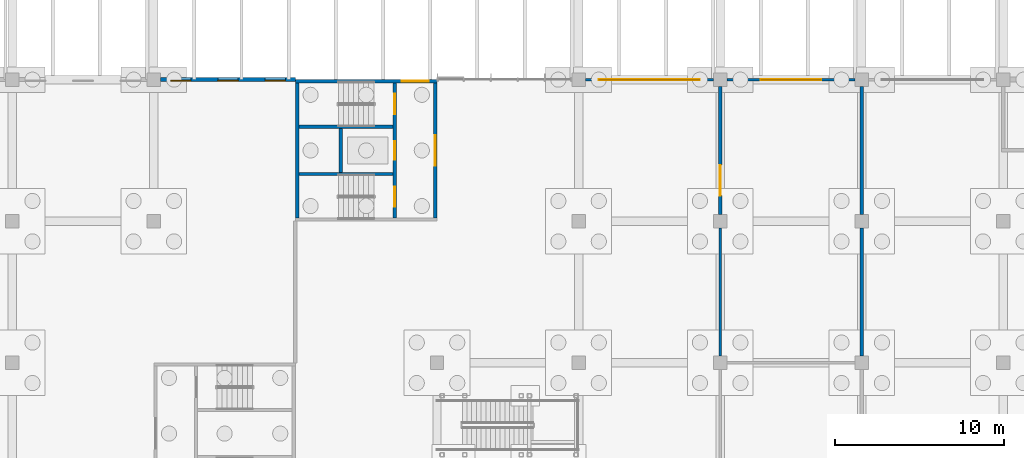
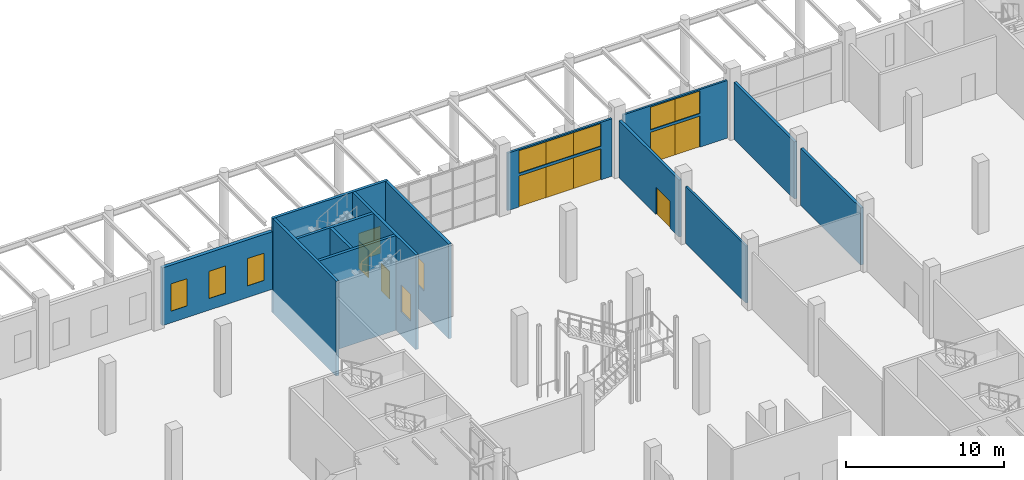
# One storey, part 38 of 82: 14 walls, 11 doors, 8 windows, 19 openings.
"""IFC4 building model written with IfcOpenShell, lengths in metres."""

from ifc_helpers import new_model, si_unit, direction, frame, frame_2d, origin, place, context, subcontext, project, spatial, rectangle, extrude, material, layer, layer_set, type_object, element, fill, save


model = new_model("IFC4")

# Units and contexts
model_context = context("Model", 3, precision=1e-05, world=origin(), true_north=direction((0.0, 1.0)))
body_context = subcontext(model_context, "Body", "Model", "MODEL_VIEW")
ifc_project = project(units=[si_unit("LENGTHUNIT", "METRE"), si_unit("AREAUNIT", "SQUARE_METRE"), si_unit("VOLUMEUNIT", "CUBIC_METRE"), si_unit("PLANEANGLEUNIT", "RADIAN"), si_unit("MASSUNIT", "GRAM", prefix="KILO")], contexts=[model_context])

# Site, building, storey
site_placement = place(None, origin())
site = spatial("IfcSite", under=ifc_project, at=site_placement, CompositionType="ELEMENT")
building_placement = place(site_placement, origin())
building = spatial("IfcBuilding", under=site, at=building_placement, Name="Almond Square Museum", CompositionType="ELEMENT")
storey_placement = place(building_placement, origin())
storey = spatial("IfcBuildingStorey", under=building, at=storey_placement, Name="L00", CompositionType="ELEMENT", Elevation=0.0)

# Wall, opening, door
ifc_material_1 = material(Name="Concrete blockwork 200", Category="masonry")
ifc_layer_1 = layer(ifc_material_1, 0.199951171875)
ifc_layer_set_1 = layer_set([ifc_layer_1], Name="Concrete blockwork 200")
wall_type_1 = type_object("IfcWallType", Name="Fire partition 200 blockwork", PredefinedType="PARTITIONING", material=ifc_layer_set_1)
wall_1_placement = place(storey_placement, frame((98.39990234375, 101.199951171875, 0.0), z_axis=(0.0, 0.0, 1.0), x_axis=(0.0, 1.0, 0.0)))
wall_1 = element("IfcWall", 1, at=wall_1_placement, inside=storey, type_object=wall_type_1, Name="L00 partition 8", PredefinedType="PARTITIONING", context=body_context, shape_type="SweptSolid", body=[
    extrude(rectangle(XDim=7.60009765625, YDim=0.199951171875, at=frame_2d((3.800048828125, 0.0))), origin(), (0.0, 0.0, 1.0), 4.39990234375),
])
opening_1_placement = place(wall_1_placement, frame((1.125, 0.0, 0.0)))
opening_1 = element("IfcOpeningElement", 2, at=opening_1_placement, cuts=wall_1, Name="Opening D0107", PredefinedType="OPENING", context=body_context, shape_type="SweptSolid", body=[
    extrude(rectangle(XDim=1.800048828125, YDim=2.10009765625, at=frame_2d((0.89990234375, 1.050048828125))), frame((0.0, 0.10986328125, 0.0), z_axis=(0.0, -1.0, 0.0), x_axis=(1.0, 0.0, 0.0)), (0.0, 0.0, 1.0), 0.219970703125),
])
ifc_material_2 = material(Name="Steel", Category="steel")
door_type_1 = type_object("IfcDoorType", Name="Fire door 1800 x 2100 FD60 double", OperationType="NOTDEFINED", PredefinedType="DOOR", material=ifc_material_2)
door_1_placement = place(opening_1_placement, origin())
door_1 = element("IfcDoor", 3, at=door_1_placement, inside=storey, type_object=door_type_1, Name="L00 door Museum Shop to Atrium Lobby 1", OperationType="DOUBLE_DOOR_SINGLE_SWING", OverallHeight=2.10009765625, OverallWidth=1.800048828125, PredefinedType="DOOR", context=body_context, shape_type="SweptSolid", body=[
    extrude(rectangle(XDim=1.800048828125, YDim=2.10009765625, at=frame_2d((0.89990234375, 1.050048828125))), frame((0.0, 0.02490234375, 0.0), z_axis=(0.0, -1.0, 0.0), x_axis=(1.0, 0.0, 0.0)), (0.0, 0.0, 1.0), 0.050048828125),
])
fill(opening_1, door_1)

# Walls
wall_2_placement = place(storey_placement, frame((106.800048828125, 92.800048828125, 0.0), z_axis=(0.0, 0.0, 1.0), x_axis=(0.0, 1.0, 0.0)))
element("IfcWall", 4, at=wall_2_placement, inside=storey, type_object=wall_type_1, Name="L00 partition 14", PredefinedType="PARTITIONING", context=body_context, shape_type="SweptSolid", body=[
    extrude(rectangle(XDim=7.599853515625, YDim=0.199951171875, at=frame_2d((3.7998046875, 0.0))), origin(), (0.0, 0.0, 1.0), 4.39990234375),
])
wall_3_placement = place(storey_placement, frame((106.800048828125, 101.199951171875, 0.0), z_axis=(0.0, 0.0, 1.0), x_axis=(0.0, 1.0, 0.0)))
element("IfcWall", 5, at=wall_3_placement, inside=storey, type_object=wall_type_1, Name="L00 partition 15", PredefinedType="PARTITIONING", context=body_context, shape_type="SweptSolid", body=[
    extrude(rectangle(XDim=7.60009765625, YDim=0.199951171875, at=frame_2d((3.800048828125, 0.0))), origin(), (0.0, 0.0, 1.0), 4.39990234375),
])

# Wall, openings, windows, doors
ifc_material_3 = material(Name="Aluminium and laminated glass", Category="aluminium")
ifc_layer_2 = layer(ifc_material_3, 0.14990234375)
ifc_layer_set_2 = layer_set([ifc_layer_2], Name="Aluminium and laminated glass")
wall_type_2 = type_object("IfcWallType", Name="Glazed entrance screen 150", PredefinedType="ELEMENTEDWALL", material=ifc_layer_set_2)
wall_4_placement = place(storey_placement, frame((98.800048828125, 109.199951171875, 0.0), z_axis=(0.0, 0.0, 1.0), x_axis=(1.0, 0.0, 0.0)))
wall_4 = element("IfcWall", 6, at=wall_4_placement, inside=storey, type_object=wall_type_2, Name="External wall W6 V2 L00 N01", PredefinedType="ELEMENTEDWALL", context=body_context, shape_type="SweptSolid", body=[
    extrude(rectangle(XDim=7.599853515625, YDim=0.14990234375, at=frame_2d((3.7998046875, 0.0))), origin(), (0.0, 0.0, 1.0), 4.43994140625),
])
opening_2_placement = place(wall_4_placement, frame((2.0, 0.0, 0.0)))
opening_2 = element("IfcOpeningElement", 7, at=opening_2_placement, cuts=wall_4, Name="Opening D013", PredefinedType="OPENING", context=body_context, shape_type="SweptSolid", body=[
    extrude(rectangle(XDim=1.800048828125, YDim=2.39990234375, at=frame_2d((0.89990234375, 1.199951171875))), frame((0.0, 0.0849609375, 0.0), z_axis=(0.0, -1.0, 0.0), x_axis=(1.0, 0.0, 0.0)), (0.0, 0.0, 1.0), 0.169921875),
])
opening_3_placement = place(wall_4_placement, frame((2.0, 0.0, 2.60009765625)))
opening_3 = element("IfcOpeningElement", 8, at=opening_3_placement, cuts=wall_4, Name="Opening W0098", PredefinedType="OPENING", context=body_context, shape_type="SweptSolid", body=[
    extrude(rectangle(XDim=1.800048828125, YDim=1.739990234375, at=frame_2d((0.89990234375, 0.8701171875))), frame((0.0, 0.0849609375, 0.0), z_axis=(0.0, -1.0, 0.0), x_axis=(1.0, 0.0, 0.0)), (0.0, 0.0, 1.0), 0.169921875),
])
opening_4_placement = place(wall_4_placement, frame((3.800048828125, 0.0, 0.0)))
opening_4 = element("IfcOpeningElement", 9, at=opening_4_placement, cuts=wall_4, Name="Opening D014", PredefinedType="OPENING", context=body_context, shape_type="SweptSolid", body=[
    extrude(rectangle(XDim=1.800048828125, YDim=2.39990234375, at=frame_2d((0.89990234375, 1.199951171875))), frame((0.0, 0.0849609375, 0.0), z_axis=(0.0, -1.0, 0.0), x_axis=(1.0, 0.0, 0.0)), (0.0, 0.0, 1.0), 0.169921875),
])
opening_5_placement = place(wall_4_placement, frame((3.800048828125, 0.0, 2.60009765625)))
opening_5 = element("IfcOpeningElement", 10, at=opening_5_placement, cuts=wall_4, Name="Opening W0099", PredefinedType="OPENING", context=body_context, shape_type="SweptSolid", body=[
    extrude(rectangle(XDim=1.800048828125, YDim=1.739990234375, at=frame_2d((0.89990234375, 0.8701171875))), frame((0.0, 0.0849609375, 0.0), z_axis=(0.0, -1.0, 0.0), x_axis=(1.0, 0.0, 0.0)), (0.0, 0.0, 1.0), 0.169921875),
])
ifc_material_4 = material(Name="Aluminium frame and laminated glass", Category="aluminium")
window_type_1 = type_object("IfcWindowType", Name="Entrance fanlight 1740 high", PartitioningType="SINGLE_PANEL", PredefinedType="WINDOW", material=ifc_material_4)
window_1_placement = place(opening_3_placement, origin())
window_1 = element("IfcWindow", 11, at=window_1_placement, inside=storey, type_object=window_type_1, Name="Entrance fanlight W0098", OverallHeight=1.739990234375, OverallWidth=1.800048828125, PartitioningType="SINGLE_PANEL", PredefinedType="WINDOW", context=body_context, shape_type="SweptSolid", body=[
    extrude(rectangle(XDim=1.800048828125, YDim=1.739990234375, at=frame_2d((0.89990234375, 0.8701171875))), frame((0.0, 0.030029296875, 0.0), z_axis=(0.0, -1.0, 0.0), x_axis=(1.0, 0.0, 0.0)), (0.0, 0.0, 1.0), 0.06005859375),
])
fill(opening_3, window_1)
window_2_placement = place(opening_5_placement, origin())
window_2 = element("IfcWindow", 12, at=window_2_placement, inside=storey, type_object=window_type_1, Name="Entrance fanlight W0099", OverallHeight=1.739990234375, OverallWidth=1.800048828125, PartitioningType="SINGLE_PANEL", PredefinedType="WINDOW", context=body_context, shape_type="SweptSolid", body=[
    extrude(rectangle(XDim=1.800048828125, YDim=1.739990234375, at=frame_2d((0.89990234375, 0.8701171875))), frame((0.0, 0.030029296875, 0.0), z_axis=(0.0, -1.0, 0.0), x_axis=(1.0, 0.0, 0.0)), (0.0, 0.0, 1.0), 0.06005859375),
])
fill(opening_5, window_2)
ifc_material_5 = material(Name="Aluminium frame and laminated glass", Category="aluminium")
door_type_2 = type_object("IfcDoorType", Name="Glazed entrance door pair 1800 x 2400", OperationType="NOTDEFINED", PredefinedType="DOOR", material=ifc_material_5)
door_2_placement = place(opening_2_placement, origin())
door_2 = element("IfcDoor", 13, at=door_2_placement, inside=storey, type_object=door_type_2, Name="Shop Entrance door D013", OperationType="DOUBLE_DOOR_SINGLE_SWING", OverallHeight=2.39990234375, OverallWidth=1.800048828125, PredefinedType="DOOR", context=body_context, shape_type="SweptSolid", body=[
    extrude(rectangle(XDim=1.800048828125, YDim=2.39990234375, at=frame_2d((0.89990234375, 1.199951171875))), frame((0.0, 0.02490234375, 0.0), z_axis=(0.0, -1.0, 0.0), x_axis=(1.0, 0.0, 0.0)), (0.0, 0.0, 1.0), 0.050048828125),
])
fill(opening_2, door_2)
door_3_placement = place(opening_4_placement, origin())
door_3 = element("IfcDoor", 14, at=door_3_placement, inside=storey, type_object=door_type_2, Name="Shop Entrance door D014", OperationType="DOUBLE_DOOR_SINGLE_SWING", OverallHeight=2.39990234375, OverallWidth=1.800048828125, PredefinedType="DOOR", context=body_context, shape_type="SweptSolid", body=[
    extrude(rectangle(XDim=1.800048828125, YDim=2.39990234375, at=frame_2d((0.89990234375, 1.199951171875))), frame((0.0, 0.02490234375, 0.0), z_axis=(0.0, -1.0, 0.0), x_axis=(1.0, 0.0, 0.0)), (0.0, 0.0, 1.0), 0.050048828125),
])
fill(opening_4, door_3)

wall_5_placement = place(storey_placement, frame((90.39990234375, 109.199951171875, 0.0), z_axis=(0.0, 0.0, 1.0), x_axis=(1.0, 0.0, 0.0)))
wall_5 = element("IfcWall", 15, at=wall_5_placement, inside=storey, type_object=wall_type_2, Name="External wall W6 V2 L00 N02", PredefinedType="ELEMENTEDWALL", context=body_context, shape_type="SweptSolid", body=[
    extrude(rectangle(XDim=7.60009765625, YDim=0.14990234375, at=frame_2d((3.800048828125, 0.0))), origin(), (0.0, 0.0, 1.0), 4.43994140625),
])
opening_6_placement = place(wall_5_placement, frame((0.800048828125, 0.0, 0.0)))
opening_6 = element("IfcOpeningElement", 16, at=opening_6_placement, cuts=wall_5, Name="Opening D015", PredefinedType="OPENING", context=body_context, shape_type="SweptSolid", body=[
    extrude(rectangle(XDim=2.0, YDim=2.39990234375, at=frame_2d((1.0, 1.199951171875))), frame((0.0, 0.0849609375, 0.0), z_axis=(0.0, -1.0, 0.0), x_axis=(1.0, 0.0, 0.0)), (0.0, 0.0, 1.0), 0.169921875),
])
opening_7_placement = place(wall_5_placement, frame((0.800048828125, 0.0, 2.60009765625)))
opening_7 = element("IfcOpeningElement", 17, at=opening_7_placement, cuts=wall_5, Name="Opening W0100", PredefinedType="OPENING", context=body_context, shape_type="SweptSolid", body=[
    extrude(rectangle(XDim=2.0, YDim=1.739990234375, at=frame_2d((1.0, 0.8701171875))), frame((0.0, 0.0849609375, 0.0), z_axis=(0.0, -1.0, 0.0), x_axis=(1.0, 0.0, 0.0)), (0.0, 0.0, 1.0), 0.169921875),
])
opening_8_placement = place(wall_5_placement, frame((2.800048828125, 0.0, 0.0)))
opening_8 = element("IfcOpeningElement", 18, at=opening_8_placement, cuts=wall_5, Name="Opening D016", PredefinedType="OPENING", context=body_context, shape_type="SweptSolid", body=[
    extrude(rectangle(XDim=2.0, YDim=2.39990234375, at=frame_2d((1.0, 1.199951171875))), frame((0.0, 0.0849609375, 0.0), z_axis=(0.0, -1.0, 0.0), x_axis=(1.0, 0.0, 0.0)), (0.0, 0.0, 1.0), 0.169921875),
])
opening_9_placement = place(wall_5_placement, frame((2.800048828125, 0.0, 2.60009765625)))
opening_9 = element("IfcOpeningElement", 19, at=opening_9_placement, cuts=wall_5, Name="Opening W0101", PredefinedType="OPENING", context=body_context, shape_type="SweptSolid", body=[
    extrude(rectangle(XDim=2.0, YDim=1.739990234375, at=frame_2d((1.0, 0.8701171875))), frame((0.0, 0.0849609375, 0.0), z_axis=(0.0, -1.0, 0.0), x_axis=(1.0, 0.0, 0.0)), (0.0, 0.0, 1.0), 0.169921875),
])
opening_10_placement = place(wall_5_placement, frame((4.800048828125, 0.0, 0.0)))
opening_10 = element("IfcOpeningElement", 20, at=opening_10_placement, cuts=wall_5, Name="Opening D017", PredefinedType="OPENING", context=body_context, shape_type="SweptSolid", body=[
    extrude(rectangle(XDim=2.0, YDim=2.39990234375, at=frame_2d((1.0, 1.199951171875))), frame((0.0, 0.0849609375, 0.0), z_axis=(0.0, -1.0, 0.0), x_axis=(1.0, 0.0, 0.0)), (0.0, 0.0, 1.0), 0.169921875),
])
opening_11_placement = place(wall_5_placement, frame((4.800048828125, 0.0, 2.60009765625)))
opening_11 = element("IfcOpeningElement", 21, at=opening_11_placement, cuts=wall_5, Name="Opening W0102", PredefinedType="OPENING", context=body_context, shape_type="SweptSolid", body=[
    extrude(rectangle(XDim=2.0, YDim=1.739990234375, at=frame_2d((1.0, 0.8701171875))), frame((0.0, 0.0849609375, 0.0), z_axis=(0.0, -1.0, 0.0), x_axis=(1.0, 0.0, 0.0)), (0.0, 0.0, 1.0), 0.169921875),
])
ifc_material_6 = material(Name="Aluminium frame and laminated glass", Category="aluminium")
window_type_2 = type_object("IfcWindowType", Name="Entrance fanlight 2000 1740 high", PartitioningType="SINGLE_PANEL", PredefinedType="WINDOW", material=ifc_material_6)
window_3_placement = place(opening_7_placement, origin())
window_3 = element("IfcWindow", 22, at=window_3_placement, inside=storey, type_object=window_type_2, Name="Entrance fanlight 2000 W0100", OverallHeight=1.739990234375, OverallWidth=2.0, PartitioningType="SINGLE_PANEL", PredefinedType="WINDOW", context=body_context, shape_type="SweptSolid", body=[
    extrude(rectangle(XDim=2.0, YDim=1.739990234375, at=frame_2d((1.0, 0.8701171875))), frame((0.0, 0.030029296875, 0.0), z_axis=(0.0, -1.0, 0.0), x_axis=(1.0, 0.0, 0.0)), (0.0, 0.0, 1.0), 0.06005859375),
])
fill(opening_7, window_3)
window_4_placement = place(opening_9_placement, origin())
window_4 = element("IfcWindow", 23, at=window_4_placement, inside=storey, type_object=window_type_2, Name="Entrance fanlight 2000 W0101", OverallHeight=1.739990234375, OverallWidth=2.0, PartitioningType="SINGLE_PANEL", PredefinedType="WINDOW", context=body_context, shape_type="SweptSolid", body=[
    extrude(rectangle(XDim=2.0, YDim=1.739990234375, at=frame_2d((1.0, 0.8701171875))), frame((0.0, 0.030029296875, 0.0), z_axis=(0.0, -1.0, 0.0), x_axis=(1.0, 0.0, 0.0)), (0.0, 0.0, 1.0), 0.06005859375),
])
fill(opening_9, window_4)
window_5_placement = place(opening_11_placement, origin())
window_5 = element("IfcWindow", 24, at=window_5_placement, inside=storey, type_object=window_type_2, Name="Entrance fanlight 2000 W0102", OverallHeight=1.739990234375, OverallWidth=2.0, PartitioningType="SINGLE_PANEL", PredefinedType="WINDOW", context=body_context, shape_type="SweptSolid", body=[
    extrude(rectangle(XDim=2.0, YDim=1.739990234375, at=frame_2d((1.0, 0.8701171875))), frame((0.0, 0.030029296875, 0.0), z_axis=(0.0, -1.0, 0.0), x_axis=(1.0, 0.0, 0.0)), (0.0, 0.0, 1.0), 0.06005859375),
])
fill(opening_11, window_5)
ifc_material_7 = material(Name="Aluminium frame and laminated glass", Category="aluminium")
door_type_3 = type_object("IfcDoorType", Name="Glazed entrance door pair 2000 x 2400", OperationType="NOTDEFINED", PredefinedType="DOOR", material=ifc_material_7)
door_4_placement = place(opening_6_placement, origin())
door_4 = element("IfcDoor", 25, at=door_4_placement, inside=storey, type_object=door_type_3, Name="Main Entrance door D015", OperationType="DOUBLE_DOOR_SINGLE_SWING", OverallHeight=2.39990234375, OverallWidth=2.0, PredefinedType="DOOR", context=body_context, shape_type="SweptSolid", body=[
    extrude(rectangle(XDim=2.0, YDim=2.39990234375, at=frame_2d((1.0, 1.199951171875))), frame((0.0, 0.02490234375, 0.0), z_axis=(0.0, -1.0, 0.0), x_axis=(1.0, 0.0, 0.0)), (0.0, 0.0, 1.0), 0.050048828125),
])
fill(opening_6, door_4)
door_5_placement = place(opening_8_placement, origin())
door_5 = element("IfcDoor", 26, at=door_5_placement, inside=storey, type_object=door_type_3, Name="Main Entrance door D016", OperationType="DOUBLE_DOOR_SINGLE_SWING", OverallHeight=2.39990234375, OverallWidth=2.0, PredefinedType="DOOR", context=body_context, shape_type="SweptSolid", body=[
    extrude(rectangle(XDim=2.0, YDim=2.39990234375, at=frame_2d((1.0, 1.199951171875))), frame((0.0, 0.02490234375, 0.0), z_axis=(0.0, -1.0, 0.0), x_axis=(1.0, 0.0, 0.0)), (0.0, 0.0, 1.0), 0.050048828125),
])
fill(opening_8, door_5)
door_6_placement = place(opening_10_placement, origin())
door_6 = element("IfcDoor", 27, at=door_6_placement, inside=storey, type_object=door_type_3, Name="Main Entrance door D017", OperationType="DOUBLE_DOOR_SINGLE_SWING", OverallHeight=2.39990234375, OverallWidth=2.0, PredefinedType="DOOR", context=body_context, shape_type="SweptSolid", body=[
    extrude(rectangle(XDim=2.0, YDim=2.39990234375, at=frame_2d((1.0, 1.199951171875))), frame((0.0, 0.02490234375, 0.0), z_axis=(0.0, -1.0, 0.0), x_axis=(1.0, 0.0, 0.0)), (0.0, 0.0, 1.0), 0.050048828125),
])
fill(opening_10, door_6)

# Wall
ifc_material_8 = material(Name="Plasterboard on steel stud", Category="steel")
ifc_layer_3 = layer(ifc_material_8, 0.14990234375)
ifc_layer_set_3 = layer_set([ifc_layer_3], Name="Plasterboard on steel stud")
wall_type_3 = type_object("IfcWallType", Name="Partition 150 plasterboard on steel stud", PredefinedType="PARTITIONING", material=ifc_layer_set_3)
wall_6_placement = place(storey_placement, frame((98.39990234375, 92.800048828125, 0.0), z_axis=(0.0, 0.0, 1.0), x_axis=(0.0, 1.0, 0.0)))
element("IfcWall", 28, at=wall_6_placement, inside=storey, type_object=wall_type_3, Name="L00 partition 17", PredefinedType="PARTITIONING", context=body_context, shape_type="SweptSolid", body=[
    extrude(rectangle(XDim=7.599853515625, YDim=0.14990234375, at=frame_2d((3.7998046875, 0.0))), origin(), (0.0, 0.0, 1.0), 4.39990234375),
])

# Wall, openings, windows
ifc_material_9 = material(Name="Precast concrete C40/50", Category="concrete")
ifc_layer_4 = layer(ifc_material_9, 0.25)
ifc_layer_set_4 = layer_set([ifc_layer_4], Name="Precast concrete C40/50")
wall_type_4 = type_object("IfcWallType", Name="Precast concrete panel wall 250 with coral limestone piers", PredefinedType="SOLIDWALL", material=ifc_layer_set_4)
wall_7_placement = place(storey_placement, frame((65.199951171875, 109.199951171875, 0.0), z_axis=(0.0, 0.0, 1.0), x_axis=(1.0, 0.0, 0.0)))
wall_7 = element("IfcWall", 29, at=wall_7_placement, inside=storey, type_object=wall_type_4, Name="External wall W2 V4N L00 N01", PredefinedType="SOLIDWALL", context=body_context, shape_type="SweptSolid", body=[
    extrude(rectangle(XDim=8.0, YDim=0.25, at=frame_2d((4.0, 0.0))), origin(), (0.0, 0.0, 1.0), 4.43994140625),
])
opening_12_placement = place(wall_7_placement, frame((0.60009765625, 0.0, 0.89990234375)))
opening_12 = element("IfcOpeningElement", 30, at=opening_12_placement, cuts=wall_7, Name="Opening W0103", PredefinedType="OPENING", context=body_context, shape_type="SweptSolid", body=[
    extrude(rectangle(XDim=1.199951171875, YDim=2.10009765625, at=frame_2d((0.60009765625, 1.050048828125))), frame((0.0, 0.135009765625, 0.0), z_axis=(0.0, -1.0, 0.0), x_axis=(1.0, 0.0, 0.0)), (0.0, 0.0, 1.0), 0.27001953125),
])
opening_13_placement = place(wall_7_placement, frame((3.39990234375, 0.0, 0.89990234375)))
opening_13 = element("IfcOpeningElement", 31, at=opening_13_placement, cuts=wall_7, Name="Opening W0104", PredefinedType="OPENING", context=body_context, shape_type="SweptSolid", body=[
    extrude(rectangle(XDim=1.199951171875, YDim=2.10009765625, at=frame_2d((0.60009765625, 1.050048828125))), frame((0.0, 0.135009765625, 0.0), z_axis=(0.0, -1.0, 0.0), x_axis=(1.0, 0.0, 0.0)), (0.0, 0.0, 1.0), 0.27001953125),
])
opening_14_placement = place(wall_7_placement, frame((6.199951171875, 0.0, 0.89990234375)))
opening_14 = element("IfcOpeningElement", 32, at=opening_14_placement, cuts=wall_7, Name="Opening W0105", PredefinedType="OPENING", context=body_context, shape_type="SweptSolid", body=[
    extrude(rectangle(XDim=1.199951171875, YDim=2.10009765625, at=frame_2d((0.60009765625, 1.050048828125))), frame((0.0, 0.135009765625, 0.0), z_axis=(0.0, -1.0, 0.0), x_axis=(1.0, 0.0, 0.0)), (0.0, 0.0, 1.0), 0.27001953125),
])
ifc_material_10 = material(Name="Anodised aluminium louvre and laminated glass", Category="aluminium")
window_type_3 = type_object("IfcWindowType", Name="Louvred pier window", PartitioningType="SINGLE_PANEL", PredefinedType="WINDOW", material=ifc_material_10)
window_6_placement = place(opening_12_placement, origin())
window_6 = element("IfcWindow", 33, at=window_6_placement, inside=storey, type_object=window_type_3, Name="Louvred pier window W0103", OverallHeight=2.10009765625, OverallWidth=1.199951171875, PartitioningType="SINGLE_PANEL", PredefinedType="WINDOW", context=body_context, shape_type="SweptSolid", body=[
    extrude(rectangle(XDim=1.199951171875, YDim=2.10009765625, at=frame_2d((0.60009765625, 1.050048828125))), frame((0.0, -0.044921875, 0.0), z_axis=(0.0, -1.0, 0.0), x_axis=(1.0, 0.0, 0.0)), (0.0, 0.0, 1.0), 0.06005859375),
])
fill(opening_12, window_6)
window_7_placement = place(opening_13_placement, origin())
window_7 = element("IfcWindow", 34, at=window_7_placement, inside=storey, type_object=window_type_3, Name="Louvred pier window W0104", OverallHeight=2.10009765625, OverallWidth=1.199951171875, PartitioningType="SINGLE_PANEL", PredefinedType="WINDOW", context=body_context, shape_type="SweptSolid", body=[
    extrude(rectangle(XDim=1.199951171875, YDim=2.10009765625, at=frame_2d((0.60009765625, 1.050048828125))), frame((0.0, -0.044921875, 0.0), z_axis=(0.0, -1.0, 0.0), x_axis=(1.0, 0.0, 0.0)), (0.0, 0.0, 1.0), 0.06005859375),
])
fill(opening_13, window_7)
window_8_placement = place(opening_14_placement, origin())
window_8 = element("IfcWindow", 35, at=window_8_placement, inside=storey, type_object=window_type_3, Name="Louvred pier window W0105", OverallHeight=2.10009765625, OverallWidth=1.199951171875, PartitioningType="SINGLE_PANEL", PredefinedType="WINDOW", context=body_context, shape_type="SweptSolid", body=[
    extrude(rectangle(XDim=1.199951171875, YDim=2.10009765625, at=frame_2d((0.60009765625, 1.050048828125))), frame((0.0, -0.044921875, 0.0), z_axis=(0.0, -1.0, 0.0), x_axis=(1.0, 0.0, 0.0)), (0.0, 0.0, 1.0), 0.06005859375),
])
fill(opening_14, window_8)

# Wall, opening, door
ifc_material_11 = material(Name="Concrete C40/50", Category="concrete")
ifc_layer_5 = layer(ifc_material_11, 0.199951171875)
ifc_layer_set_5 = layer_set([ifc_layer_5], Name="Concrete C40/50")
wall_type_5 = type_object("IfcWallType", Name="RC shear wall 200 C40/50", PredefinedType="SHEAR", material=ifc_layer_set_5)
wall_8_placement = place(storey_placement, frame((73.199951171875, 109.10009765625, -1.800048828125), z_axis=(0.0, 0.0, 1.0), x_axis=(1.0, 0.0, 0.0)))
wall_8 = element("IfcWall", 36, at=wall_8_placement, inside=storey, type_object=wall_type_5, Name="Core A1 north wall L00", PredefinedType="SHEAR", context=body_context, shape_type="SweptSolid", body=[
    extrude(rectangle(XDim=8.400146484375, YDim=0.199951171875, at=frame_2d((4.2001953125, 0.0))), origin(), (0.0, 0.0, 1.0), 7.300048828125),
])
opening_15_placement = place(wall_8_placement, frame((6.300048828125, 0.0, 1.800048828125)))
opening_15 = element("IfcOpeningElement", 37, at=opening_15_placement, cuts=wall_8, Name="Opening D022", PredefinedType="OPENING", context=body_context, shape_type="SweptSolid", body=[
    extrude(rectangle(XDim=1.60009765625, YDim=2.10009765625, at=frame_2d((0.800048828125, 1.050048828125))), frame((0.0, 0.10986328125, 0.0), z_axis=(0.0, -1.0, 0.0), x_axis=(1.0, 0.0, 0.0)), (0.0, 0.0, 1.0), 0.219970703125),
])
ifc_material_12 = material(Name="Steel frame and steel leaf", Category="steel")
door_type_4 = type_object("IfcDoorType", Name="Stair exit door pair 1600 x 2100", OperationType="NOTDEFINED", PredefinedType="DOOR", material=ifc_material_12)
door_7_placement = place(opening_15_placement, origin())
door_7 = element("IfcDoor", 38, at=door_7_placement, inside=storey, type_object=door_type_4, Name="Stair Exit A1 door D022", OperationType="DOUBLE_DOOR_SINGLE_SWING", OverallHeight=2.10009765625, OverallWidth=1.60009765625, PredefinedType="DOOR", context=body_context, shape_type="SweptSolid", body=[
    extrude(rectangle(XDim=1.60009765625, YDim=2.10009765625, at=frame_2d((0.800048828125, 1.050048828125))), frame((0.0, 0.02490234375, 0.0), z_axis=(0.0, -1.0, 0.0), x_axis=(1.0, 0.0, 0.0)), (0.0, 0.0, 1.0), 0.050048828125),
])
fill(opening_15, door_7)

# Wall
wall_9_placement = place(storey_placement, frame((73.300048828125, 101.0, -1.800048828125), z_axis=(0.0, 0.0, 1.0), x_axis=(0.0, 1.0, 0.0)))
element("IfcWall", 39, at=wall_9_placement, inside=storey, type_object=wall_type_5, Name="Core A1 west wall L00", PredefinedType="SHEAR", context=body_context, shape_type="SweptSolid", body=[
    extrude(rectangle(XDim=8.0, YDim=0.199951171875, at=frame_2d((4.0, 0.0))), origin(), (0.0, 0.0, 1.0), 7.300048828125),
])

# Wall, opening, door
wall_10_placement = place(storey_placement, frame((81.5, 101.0, -1.800048828125), z_axis=(0.0, 0.0, 1.0), x_axis=(0.0, 1.0, 0.0)))
wall_10 = element("IfcWall", 40, at=wall_10_placement, inside=storey, type_object=wall_type_5, Name="Core A1 east wall L00", PredefinedType="SHEAR", context=body_context, shape_type="SweptSolid", body=[
    extrude(rectangle(XDim=8.0, YDim=0.199951171875, at=frame_2d((4.0, 0.0))), origin(), (0.0, 0.0, 1.0), 7.300048828125),
])
opening_16_placement = place(wall_10_placement, frame((3.10009765625, 0.0, 1.800048828125)))
opening_16 = element("IfcOpeningElement", 41, at=opening_16_placement, cuts=wall_10, Name="Opening D0171", PredefinedType="OPENING", context=body_context, shape_type="SweptSolid", body=[
    extrude(rectangle(XDim=1.800048828125, YDim=2.10009765625, at=frame_2d((0.89990234375, 1.050048828125))), frame((0.0, 0.10986328125, 0.0), z_axis=(0.0, -1.0, 0.0), x_axis=(1.0, 0.0, 0.0)), (0.0, 0.0, 1.0), 0.219970703125),
])
door_8_placement = place(opening_16_placement, origin())
door_8 = element("IfcDoor", 42, at=door_8_placement, inside=storey, type_object=door_type_1, Name="L00 stair core A1 lobby door", OperationType="DOUBLE_DOOR_SINGLE_SWING", OverallHeight=2.10009765625, OverallWidth=1.800048828125, PredefinedType="DOOR", context=body_context, shape_type="SweptSolid", body=[
    extrude(rectangle(XDim=1.800048828125, YDim=2.10009765625, at=frame_2d((0.89990234375, 1.050048828125))), frame((0.0, 0.02490234375, 0.0), z_axis=(0.0, -1.0, 0.0), x_axis=(1.0, 0.0, 0.0)), (0.0, 0.0, 1.0), 0.050048828125),
])
fill(opening_16, door_8)

# Wall, openings, doors
wall_11_placement = place(storey_placement, frame((79.10009765625, 101.0, -1.800048828125), z_axis=(0.0, 0.0, 1.0), x_axis=(0.0, 1.0, 0.0)))
wall_11 = element("IfcWall", 43, at=wall_11_placement, inside=storey, type_object=wall_type_5, Name="Core A1 lobby wall L00", PredefinedType="SHEAR", context=body_context, shape_type="SweptSolid", body=[
    extrude(rectangle(XDim=8.0, YDim=0.199951171875, at=frame_2d((4.0, 0.0))), origin(), (0.0, 0.0, 1.0), 7.300048828125),
])
opening_17_placement = place(wall_11_placement, frame((0.64990234375, 0.0, 1.800048828125)))
opening_17 = element("IfcOpeningElement", 44, at=opening_17_placement, cuts=wall_11, Name="Opening D0172", PredefinedType="OPENING", context=body_context, shape_type="SweptSolid", body=[
    extrude(rectangle(XDim=1.199951171875, YDim=2.10009765625, at=frame_2d((0.60009765625, 1.050048828125))), frame((0.0, 0.10986328125, 0.0), z_axis=(0.0, -1.0, 0.0), x_axis=(1.0, 0.0, 0.0)), (0.0, 0.0, 1.0), 0.219970703125),
])
opening_18_placement = place(wall_11_placement, frame((6.14990234375, 0.0, 1.800048828125)))
opening_18 = element("IfcOpeningElement", 45, at=opening_18_placement, cuts=wall_11, Name="Opening D0173", PredefinedType="OPENING", context=body_context, shape_type="SweptSolid", body=[
    extrude(rectangle(XDim=1.199951171875, YDim=2.10009765625, at=frame_2d((0.60009765625, 1.050048828125))), frame((0.0, 0.10986328125, 0.0), z_axis=(0.0, -1.0, 0.0), x_axis=(1.0, 0.0, 0.0)), (0.0, 0.0, 1.0), 0.219970703125),
])
opening_19_placement = place(wall_11_placement, frame((3.449951171875, 0.0, 1.800048828125)))
opening_19 = element("IfcOpeningElement", 46, at=opening_19_placement, cuts=wall_11, Name="Opening D0174", PredefinedType="OPENING", context=body_context, shape_type="SweptSolid", body=[
    extrude(rectangle(XDim=1.10009765625, YDim=2.10009765625, at=frame_2d((0.550048828125, 1.050048828125))), frame((0.0, 0.10986328125, 0.0), z_axis=(0.0, -1.0, 0.0), x_axis=(1.0, 0.0, 0.0)), (0.0, 0.0, 1.0), 0.219970703125),
])
ifc_material_13 = material(Name="Steel", Category="steel")
door_type_5 = type_object("IfcDoorType", Name="Fire door 1200 x 2100 FD120 stair", OperationType="NOTDEFINED", PredefinedType="DOOR", material=ifc_material_13)
door_9_placement = place(opening_17_placement, origin())
door_9 = element("IfcDoor", 47, at=door_9_placement, inside=storey, type_object=door_type_5, Name="L00 stair A1-1 door", OperationType="SINGLE_SWING_LEFT", OverallHeight=2.10009765625, OverallWidth=1.199951171875, PredefinedType="DOOR", context=body_context, shape_type="SweptSolid", body=[
    extrude(rectangle(XDim=1.199951171875, YDim=2.10009765625, at=frame_2d((0.60009765625, 1.050048828125))), frame((0.0, 0.02490234375, 0.0), z_axis=(0.0, -1.0, 0.0), x_axis=(1.0, 0.0, 0.0)), (0.0, 0.0, 1.0), 0.050048828125),
])
fill(opening_17, door_9)
door_10_placement = place(opening_18_placement, origin())
door_10 = element("IfcDoor", 48, at=door_10_placement, inside=storey, type_object=door_type_5, Name="L00 stair A1-2 door", OperationType="SINGLE_SWING_RIGHT", OverallHeight=2.10009765625, OverallWidth=1.199951171875, PredefinedType="DOOR", context=body_context, shape_type="SweptSolid", body=[
    extrude(rectangle(XDim=1.199951171875, YDim=2.10009765625, at=frame_2d((0.60009765625, 1.050048828125))), frame((0.0, 0.02490234375, 0.0), z_axis=(0.0, -1.0, 0.0), x_axis=(1.0, 0.0, 0.0)), (0.0, 0.0, 1.0), 0.050048828125),
])
fill(opening_18, door_10)
ifc_material_14 = material(Name="Stainless steel", Category="steel")
door_type_6 = type_object("IfcDoorType", Name="Lift landing door 1100 x 2100", OperationType="NOTDEFINED", PredefinedType="DOOR", material=ifc_material_14)
door_11_placement = place(opening_19_placement, origin())
door_11 = element("IfcDoor", 49, at=door_11_placement, inside=storey, type_object=door_type_6, Name="L00 lift PL-A1 landing door", OperationType="DOUBLE_DOOR_SLIDING", OverallHeight=2.10009765625, OverallWidth=1.10009765625, PredefinedType="DOOR", context=body_context, shape_type="SweptSolid", body=[
    extrude(rectangle(XDim=1.10009765625, YDim=2.10009765625, at=frame_2d((0.550048828125, 1.050048828125))), frame((0.0, 0.02490234375, 0.0), z_axis=(0.0, -1.0, 0.0), x_axis=(1.0, 0.0, 0.0)), (0.0, 0.0, 1.0), 0.050048828125),
])
fill(opening_19, door_11)

# Walls
for number, where, z_axis, x_axis, name in (
    (50, (73.39990234375, 103.60009765625, -1.800048828125), (0.0, 0.0, 1.0), (1.0, 0.0, 0.0), "Core A1 partition wall L00"),
    (51, (73.39990234375, 106.39990234375, -1.800048828125), (0.0, 0.0, 1.0), (1.0, 0.0, 0.0), "Core A1 partition wall L00"),
):
    element("IfcWall", number, at=place(storey_placement, frame(where, z_axis=z_axis, x_axis=x_axis)), inside=storey, type_object=wall_type_5, Name=name, PredefinedType="SHEAR", context=body_context, shape_type="SweptSolid", body=[
        extrude(rectangle(XDim=5.60009765625, YDim=0.199951171875, at=frame_2d((2.800048828125, 0.0))), origin(), (0.0, 0.0, 1.0), 7.300048828125),
    ])
wall_12_placement = place(storey_placement, frame((75.89990234375, 103.699951171875, -1.800048828125), z_axis=(0.0, 0.0, 1.0), x_axis=(0.0, 1.0, 0.0)))
element("IfcWall", 52, at=wall_12_placement, inside=storey, type_object=wall_type_5, Name="Core A1 partition wall L00", PredefinedType="SHEAR", context=body_context, shape_type="SweptSolid", body=[
    extrude(rectangle(XDim=2.60009765625, YDim=0.199951171875, at=frame_2d((1.300048828125, 0.0))), origin(), (0.0, 0.0, 1.0), 7.300048828125),
])

save(model, "model.ifc")
